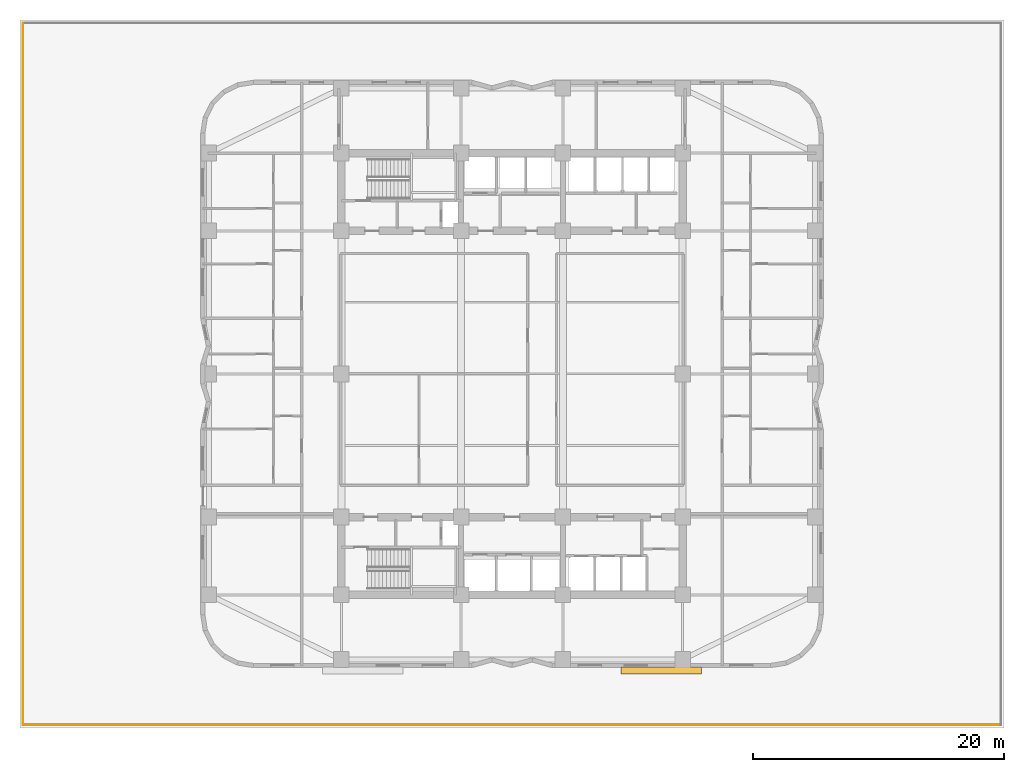
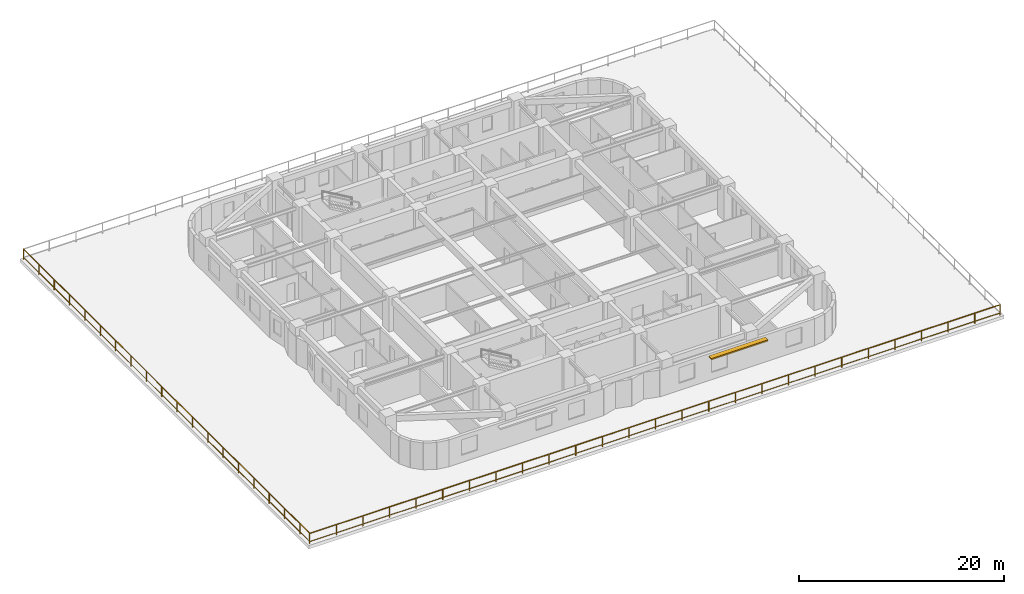
# One storey, part 9 of 11: 2 railings, 1 shading device.
"""IFC4 building model written with IfcOpenShell, lengths in metres."""

from ifc_helpers import new_model, si_unit, direction, frame, origin, origin_2d, place, context, subcontext, project, spatial, rectangle, extrude, material, layer, layer_set, type_object, element, save


model = new_model("IFC4")

# Units and contexts
model_context = context("Model", 3, precision=1e-05, world=origin(), true_north=direction((0.0, 1.0)))
body_context = subcontext(model_context, "Body", "Model", "MODEL_VIEW")
ifc_project = project(units=[si_unit("LENGTHUNIT", "METRE"), si_unit("AREAUNIT", "SQUARE_METRE"), si_unit("VOLUMEUNIT", "CUBIC_METRE"), si_unit("PLANEANGLEUNIT", "RADIAN"), si_unit("MASSUNIT", "GRAM", prefix="KILO")], contexts=[model_context])

# Site, building, storey
site_placement = place(None, origin())
site = spatial("IfcSite", under=ifc_project, at=site_placement, CompositionType="ELEMENT")
building_placement = place(site_placement, origin())
building = spatial("IfcBuilding", under=site, at=building_placement, Name="Svetorya Sky Lyceum", CompositionType="ELEMENT")
storey_placement = place(building_placement, frame((0.0, 0.0, 24.60009765625)))
storey = spatial("IfcBuildingStorey", under=building, at=storey_placement, Name="L05", CompositionType="ELEMENT", Elevation=24.60009765625)

# Railings
ifc_material_1 = material(Name="Bronze-anodized aluminium terrace guard", Category="aluminium")
railing_type = type_object("IfcRailingType", Name="RL-TER-1250", PredefinedType="GUARDRAIL", material=ifc_material_1)
railing_1_placement = place(storey_placement, frame((0.25, 0.25, 0.0)))
element("IfcRailing", 1, at=railing_1_placement, inside=storey, type_object=railing_type, Name="L05 Setback Terrace Guard Quadrant 1", PredefinedType="GUARDRAIL", context=body_context, shape_type="SweptSolid", body=[
    extrude(rectangle(XDim=0.048095703125, YDim=0.048095703125, at=origin_2d()), frame((0.0, 0.0, 1.22607421875), z_axis=(1.0, 0.0, 0.0), x_axis=(0.0, 1.0, 0.0)), (0.0, 0.0, 1.0), 77.840087890625),
    extrude(rectangle(XDim=0.02392578125, YDim=0.02392578125, at=origin_2d()), frame((0.0, 0.0, 0.25), z_axis=(1.0, 0.0, 0.0), x_axis=(0.0, 1.0, 0.0)), (0.0, 0.0, 1.0), 77.840087890625),
    extrude(rectangle(XDim=0.0419921875, YDim=0.0419921875, at=origin_2d()), origin(), (0.0, 0.0, 1.0), 1.201904296875),
    extrude(rectangle(XDim=0.0419921875, YDim=0.0419921875, at=origin_2d()), frame((3.0, 0.0, 0.0)), (0.0, 0.0, 1.0), 1.201904296875),
    extrude(rectangle(XDim=0.0419921875, YDim=0.0419921875, at=origin_2d()), frame((6.0, 0.0, 0.0)), (0.0, 0.0, 1.0), 1.201904296875),
    extrude(rectangle(XDim=0.0419921875, YDim=0.0419921875, at=origin_2d()), frame((9.0, 0.0, 0.0)), (0.0, 0.0, 1.0), 1.201904296875),
    extrude(rectangle(XDim=0.0419921875, YDim=0.0419921875, at=origin_2d()), frame((12.0, 0.0, 0.0)), (0.0, 0.0, 1.0), 1.201904296875),
    extrude(rectangle(XDim=0.0419921875, YDim=0.0419921875, at=origin_2d()), frame((15.0, 0.0, 0.0)), (0.0, 0.0, 1.0), 1.201904296875),
    extrude(rectangle(XDim=0.0419921875, YDim=0.0419921875, at=origin_2d()), frame((18.0, 0.0, 0.0)), (0.0, 0.0, 1.0), 1.201904296875),
    extrude(rectangle(XDim=0.0419921875, YDim=0.0419921875, at=origin_2d()), frame((21.0, 0.0, 0.0)), (0.0, 0.0, 1.0), 1.201904296875),
    extrude(rectangle(XDim=0.0419921875, YDim=0.0419921875, at=origin_2d()), frame((24.0, 0.0, 0.0)), (0.0, 0.0, 1.0), 1.201904296875),
    extrude(rectangle(XDim=0.0419921875, YDim=0.0419921875, at=origin_2d()), frame((27.0, 0.0, 0.0)), (0.0, 0.0, 1.0), 1.201904296875),
    extrude(rectangle(XDim=0.0419921875, YDim=0.0419921875, at=origin_2d()), frame((30.0, 0.0, 0.0)), (0.0, 0.0, 1.0), 1.201904296875),
    extrude(rectangle(XDim=0.0419921875, YDim=0.0419921875, at=origin_2d()), frame((33.0, 0.0, 0.0)), (0.0, 0.0, 1.0), 1.201904296875),
    extrude(rectangle(XDim=0.0419921875, YDim=0.0419921875, at=origin_2d()), frame((36.0, 0.0, 0.0)), (0.0, 0.0, 1.0), 1.201904296875),
    extrude(rectangle(XDim=0.0419921875, YDim=0.0419921875, at=origin_2d()), frame((39.0, 0.0, 0.0)), (0.0, 0.0, 1.0), 1.201904296875),
    extrude(rectangle(XDim=0.0419921875, YDim=0.0419921875, at=origin_2d()), frame((42.0, 0.0, 0.0)), (0.0, 0.0, 1.0), 1.201904296875),
    extrude(rectangle(XDim=0.0419921875, YDim=0.0419921875, at=origin_2d()), frame((45.0, 0.0, 0.0)), (0.0, 0.0, 1.0), 1.201904296875),
    extrude(rectangle(XDim=0.0419921875, YDim=0.0419921875, at=origin_2d()), frame((48.0, 0.0, 0.0)), (0.0, 0.0, 1.0), 1.201904296875),
    extrude(rectangle(XDim=0.0419921875, YDim=0.0419921875, at=origin_2d()), frame((51.0, 0.0, 0.0)), (0.0, 0.0, 1.0), 1.201904296875),
    extrude(rectangle(XDim=0.0419921875, YDim=0.0419921875, at=origin_2d()), frame((54.0, 0.0, 0.0)), (0.0, 0.0, 1.0), 1.201904296875),
    extrude(rectangle(XDim=0.0419921875, YDim=0.0419921875, at=origin_2d()), frame((57.0, 0.0, 0.0)), (0.0, 0.0, 1.0), 1.201904296875),
    extrude(rectangle(XDim=0.0419921875, YDim=0.0419921875, at=origin_2d()), frame((60.0, 0.0, 0.0)), (0.0, 0.0, 1.0), 1.201904296875),
    extrude(rectangle(XDim=0.0419921875, YDim=0.0419921875, at=origin_2d()), frame((63.0, 0.0, 0.0)), (0.0, 0.0, 1.0), 1.201904296875),
    extrude(rectangle(XDim=0.0419921875, YDim=0.0419921875, at=origin_2d()), frame((66.0, 0.0, 0.0)), (0.0, 0.0, 1.0), 1.201904296875),
    extrude(rectangle(XDim=0.0419921875, YDim=0.0419921875, at=origin_2d()), frame((69.0, 0.0, 0.0)), (0.0, 0.0, 1.0), 1.201904296875),
    extrude(rectangle(XDim=0.0419921875, YDim=0.0419921875, at=origin_2d()), frame((72.0, 0.0, 0.0)), (0.0, 0.0, 1.0), 1.201904296875),
    extrude(rectangle(XDim=0.0419921875, YDim=0.0419921875, at=origin_2d()), frame((75.0, 0.0, 0.0)), (0.0, 0.0, 1.0), 1.201904296875),
    extrude(rectangle(XDim=0.0419921875, YDim=0.0419921875, at=origin_2d()), frame((77.840087890625, 0.0, 0.0)), (0.0, 0.0, 1.0), 1.201904296875),
])
railing_2_placement = place(storey_placement, frame((0.25, 56.14990234375, 0.0)))
element("IfcRailing", 2, at=railing_2_placement, inside=storey, type_object=railing_type, Name="L05 Setback Terrace Guard Quadrant 4", PredefinedType="GUARDRAIL", context=body_context, shape_type="SweptSolid", body=[
    extrude(rectangle(XDim=0.048095703125, YDim=0.048095703125, at=origin_2d()), frame((0.0, 0.0, 1.22607421875), z_axis=(0.0, -1.0, 0.0), x_axis=(1.0, 0.0, 0.0)), (0.0, 0.0, 1.0), 55.83984375),
    extrude(rectangle(XDim=0.02392578125, YDim=0.02392578125, at=origin_2d()), frame((0.0, 0.0, 0.25), z_axis=(0.0, -1.0, 0.0), x_axis=(1.0, 0.0, 0.0)), (0.0, 0.0, 1.0), 55.83984375),
    extrude(rectangle(XDim=0.0419921875, YDim=0.0419921875, at=origin_2d()), origin(), (0.0, 0.0, 1.0), 1.201904296875),
    extrude(rectangle(XDim=0.0419921875, YDim=0.0419921875, at=origin_2d()), frame((0.0, -3.0, 0.0)), (0.0, 0.0, 1.0), 1.201904296875),
    extrude(rectangle(XDim=0.0419921875, YDim=0.0419921875, at=origin_2d()), frame((0.0, -6.0, 0.0)), (0.0, 0.0, 1.0), 1.201904296875),
    extrude(rectangle(XDim=0.0419921875, YDim=0.0419921875, at=origin_2d()), frame((0.0, -9.0, 0.0)), (0.0, 0.0, 1.0), 1.201904296875),
    extrude(rectangle(XDim=0.0419921875, YDim=0.0419921875, at=origin_2d()), frame((0.0, -12.0, 0.0)), (0.0, 0.0, 1.0), 1.201904296875),
    extrude(rectangle(XDim=0.0419921875, YDim=0.0419921875, at=origin_2d()), frame((0.0, -15.0, 0.0)), (0.0, 0.0, 1.0), 1.201904296875),
    extrude(rectangle(XDim=0.0419921875, YDim=0.0419921875, at=origin_2d()), frame((0.0, -18.0, 0.0)), (0.0, 0.0, 1.0), 1.201904296875),
    extrude(rectangle(XDim=0.0419921875, YDim=0.0419921875, at=origin_2d()), frame((0.0, -21.0, 0.0)), (0.0, 0.0, 1.0), 1.201904296875),
    extrude(rectangle(XDim=0.0419921875, YDim=0.0419921875, at=origin_2d()), frame((0.0, -24.0, 0.0)), (0.0, 0.0, 1.0), 1.201904296875),
    extrude(rectangle(XDim=0.0419921875, YDim=0.0419921875, at=origin_2d()), frame((0.0, -27.0, 0.0)), (0.0, 0.0, 1.0), 1.201904296875),
    extrude(rectangle(XDim=0.0419921875, YDim=0.0419921875, at=origin_2d()), frame((0.0, -30.0, 0.0)), (0.0, 0.0, 1.0), 1.201904296875),
    extrude(rectangle(XDim=0.0419921875, YDim=0.0419921875, at=origin_2d()), frame((0.0, -33.0, 0.0)), (0.0, 0.0, 1.0), 1.201904296875),
    extrude(rectangle(XDim=0.0419921875, YDim=0.0419921875, at=origin_2d()), frame((0.0, -36.0, 0.0)), (0.0, 0.0, 1.0), 1.201904296875),
    extrude(rectangle(XDim=0.0419921875, YDim=0.0419921875, at=origin_2d()), frame((0.0, -39.0, 0.0)), (0.0, 0.0, 1.0), 1.201904296875),
    extrude(rectangle(XDim=0.0419921875, YDim=0.0419921875, at=origin_2d()), frame((0.0, -42.0, 0.0)), (0.0, 0.0, 1.0), 1.201904296875),
    extrude(rectangle(XDim=0.0419921875, YDim=0.0419921875, at=origin_2d()), frame((0.0, -45.0, 0.0)), (0.0, 0.0, 1.0), 1.201904296875),
    extrude(rectangle(XDim=0.0419921875, YDim=0.0419921875, at=origin_2d()), frame((0.0, -48.0, 0.0)), (0.0, 0.0, 1.0), 1.201904296875),
    extrude(rectangle(XDim=0.0419921875, YDim=0.0419921875, at=origin_2d()), frame((0.0, -51.0, 0.0)), (0.0, 0.0, 1.0), 1.201904296875),
    extrude(rectangle(XDim=0.0419921875, YDim=0.0419921875, at=origin_2d()), frame((0.0, -54.0, 0.0)), (0.0, 0.0, 1.0), 1.201904296875),
    extrude(rectangle(XDim=0.0419921875, YDim=0.0419921875, at=origin_2d()), frame((0.0, -55.83984375, 0.0)), (0.0, 0.0, 1.0), 1.201904296875),
])

# Shading device
ifc_material_2 = material(Name="Champagne-anodized extruded aluminium sunshade", Category="aluminium")
ifc_layer = layer(ifc_material_2, 0.159912109375)
ifc_layer_set = layer_set([ifc_layer], Name="Champagne-anodized extruded aluminium sunshade")
shading_device_type = type_object("IfcShadingDeviceType", Name="SHD-LVR-540", PredefinedType="AWNING", material=ifc_layer_set)
shading_device_placement = place(storey_placement, frame((51.10009765625, 4.580078125, 2.77001953125), z_axis=(0.0, 0.0, 1.0), x_axis=(1.0, 0.0, 0.0)))
element("IfcShadingDevice", 3, at=shading_device_placement, inside=storey, type_object=shading_device_type, Name="L05 Solar Brise-Soleil SHD-1.11M", PredefinedType="AWNING", context=body_context, shape_type="SweptSolid", body=[
    extrude(rectangle(XDim=6.39990234375, YDim=0.5400390625, at=origin_2d()), origin(), (0.0, 0.0, 1.0), 0.159912109375),
])

save(model, "model.ifc")
